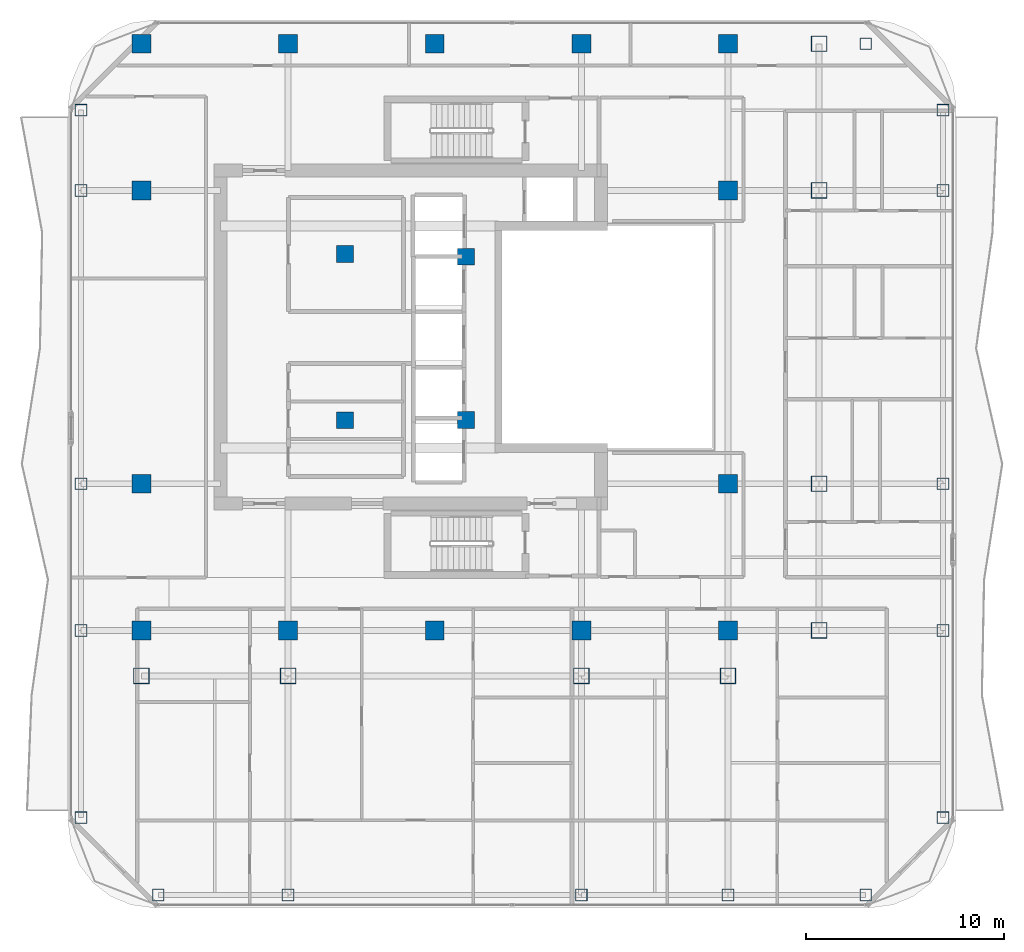
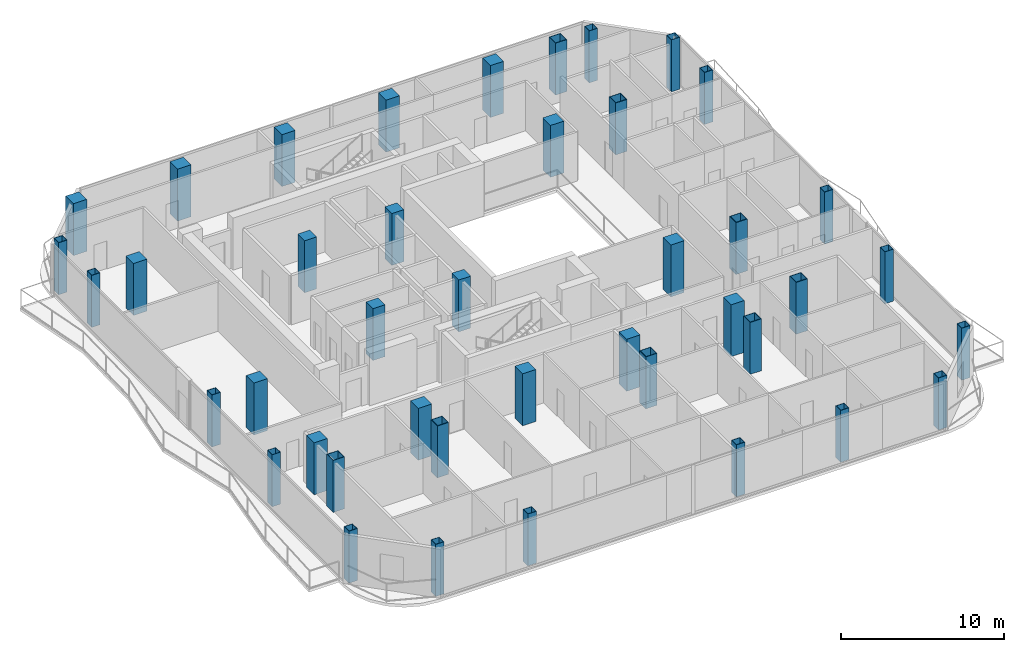
# One storey, part 1 of 27: 42 columns.
"""IFC4 building model written with IfcOpenShell, lengths in metres."""

from ifc_helpers import new_model, si_unit, direction, frame, origin, origin_2d, place, context, subcontext, project, spatial, rectangle, hollow_rectangle, extrude, material, material_profile, profile_set, type_object, element, save


model = new_model("IFC4")

# Units and contexts
model_context = context("Model", 3, precision=1e-05, world=origin(), true_north=direction((0.0, 1.0)))
body_context = subcontext(model_context, "Body", "Model", "MODEL_VIEW")
ifc_project = project(units=[si_unit("LENGTHUNIT", "METRE"), si_unit("AREAUNIT", "SQUARE_METRE"), si_unit("VOLUMEUNIT", "CUBIC_METRE"), si_unit("PLANEANGLEUNIT", "RADIAN"), si_unit("MASSUNIT", "GRAM", prefix="KILO")], contexts=[model_context])

# Site, building, storey
site_placement = place(None, origin())
site = spatial("IfcSite", under=ifc_project, at=site_placement, CompositionType="ELEMENT")
building_placement = place(site_placement, origin())
building = spatial("IfcBuilding", under=site, at=building_placement, Name="Khorvyn Point Tower", CompositionType="ELEMENT")
storey_placement = place(building_placement, frame((0.0, 0.0, 243.0)))
storey = spatial("IfcBuildingStorey", under=building, at=storey_placement, Name="L59", CompositionType="ELEMENT", Elevation=243.0)

# Columns
ifc_material_1 = material(Name="Concrete C40/50", Category="concrete")
ifc_material_profile_1 = material_profile(ifc_material_1, rectangle(XDim=0.85009765625, YDim=0.85009765625, at=origin_2d()))
ifc_profile_set_1 = profile_set([ifc_material_profile_1], Name="Concrete C40/50 RC850x850")
column_type_1 = type_object("IfcColumnType", Name="Concrete C40/50 Column RC850x850", PredefinedType="COLUMN", material=ifc_profile_set_1)
for number, where, z_axis, x_axis, name in (
    (1, (-4.52001953125, -4.199951171875, 0.0), (0.0, 0.0, 1.0), (1.0, 0.0, 0.0), "L59 Crown Core Spine Column 1"),
    (2, (1.580078125, -4.179931640625, 0.0), (0.0, 0.0, 1.0), (1.0, 0.0, 0.0), "L59 Crown Core Spine Column 2"),
    (3, (1.580078125, 4.050048828125, 0.0), (0.0, 0.0, 1.0), (1.0, 0.0, 0.0), "L59 Crown Core Spine Column 3"),
    (4, (-4.52001953125, 4.199951171875, 0.0), (0.0, 0.0, 1.0), (1.0, 0.0, 0.0), "L59 Crown Core Spine Column 4"),
):
    element("IfcColumn", number, at=place(storey_placement, frame(where, z_axis=z_axis, x_axis=x_axis)), inside=storey, type_object=column_type_1, Name=name, PredefinedType="COLUMN", context=body_context, shape_type="SweptSolid", body=[
        extrude(rectangle(XDim=0.85009765625, YDim=0.85009765625, at=origin_2d()), origin(), (0.0, 0.0, 1.0), 3.89990234375),
    ])
ifc_material_profile_2 = material_profile(ifc_material_1, rectangle(XDim=0.949951171875, YDim=0.949951171875, at=origin_2d()))
ifc_profile_set_2 = profile_set([ifc_material_profile_2], Name="Concrete C40/50 RC950x950")
column_type_2 = type_object("IfcColumnType", Name="Concrete C40/50 Column RC950x950", PredefinedType="COLUMN", material=ifc_profile_set_2)
for number, where, z_axis, x_axis, name in (
    (5, (-14.800048828125, -14.800048828125, 0.0), (0.0, 0.0, 1.0), (1.0, 0.0, 0.0), "L59 Mega-Column MC-01"),
    (6, (-7.39990234375, -14.800048828125, 0.0), (0.0, 0.0, 1.0), (1.0, 0.0, 0.0), "L59 Mega-Column MC-02"),
    (7, (0.0, -14.800048828125, 0.0), (0.0, 0.0, 1.0), (1.0, 0.0, 0.0), "L59 Mega-Column MC-03"),
    (8, (7.39990234375, -14.800048828125, 0.0), (0.0, 0.0, 1.0), (1.0, 0.0, 0.0), "L59 Mega-Column MC-04"),
    (9, (14.800048828125, -14.800048828125, 0.0), (0.0, 0.0, 1.0), (1.0, 0.0, 0.0), "L59 Mega-Column MC-05"),
    (10, (-14.800048828125, 14.800048828125, 0.0), (0.0, 0.0, 1.0), (1.0, 0.0, 0.0), "L59 Mega-Column MC-06"),
    (11, (-7.39990234375, 14.800048828125, 0.0), (0.0, 0.0, 1.0), (1.0, 0.0, 0.0), "L59 Mega-Column MC-07"),
    (12, (0.0, 14.800048828125, 0.0), (0.0, 0.0, 1.0), (1.0, 0.0, 0.0), "L59 Mega-Column MC-08"),
    (13, (7.39990234375, 14.800048828125, 0.0), (0.0, 0.0, 1.0), (1.0, 0.0, 0.0), "L59 Mega-Column MC-09"),
    (14, (14.800048828125, 14.800048828125, 0.0), (0.0, 0.0, 1.0), (1.0, 0.0, 0.0), "L59 Mega-Column MC-10"),
    (15, (-14.800048828125, -7.39990234375, 0.0), (0.0, 0.0, 1.0), (1.0, 0.0, 0.0), "L59 Mega-Column MC-11"),
    (16, (-14.800048828125, 7.39990234375, 0.0), (0.0, 0.0, 1.0), (1.0, 0.0, 0.0), "L59 Mega-Column MC-12"),
    (17, (14.800048828125, -7.39990234375, 0.0), (0.0, 0.0, 1.0), (1.0, 0.0, 0.0), "L59 Mega-Column MC-13"),
    (18, (14.800048828125, 7.39990234375, 0.0), (0.0, 0.0, 1.0), (1.0, 0.0, 0.0), "L59 Mega-Column MC-14"),
):
    element("IfcColumn", number, at=place(storey_placement, frame(where, z_axis=z_axis, x_axis=x_axis)), inside=storey, type_object=column_type_2, Name=name, PredefinedType="COLUMN", context=body_context, shape_type="SweptSolid", body=[
        extrude(rectangle(XDim=0.949951171875, YDim=0.949951171875, at=origin_2d()), origin(), (0.0, 0.0, 1.0), 3.89990234375),
    ])
ifc_material_2 = material(Name="Steel S450", Category="steel")
ifc_material_profile_3 = material_profile(ifc_material_2, hollow_rectangle(XDim=0.60009765625, YDim=0.60009765625, WallThickness=0.028076171875, at=origin_2d()))
ifc_profile_set_3 = profile_set([ifc_material_profile_3], Name="Steel S450 BOX600x600x28")
column_type_3 = type_object("IfcColumnType", Name="Steel S450 Structural Column BOX600x600x28", PredefinedType="COLUMN", material=ifc_profile_set_3)
for number, where, z_axis, x_axis, name in (
    (19, (-13.949951171875, -28.14990234375, 0.0), (0.0, 0.0, 1.0), (1.0, 0.0, 0.0), "L59 Perimeter Tube Column TC-01"),
    (20, (21.75, -28.14990234375, 0.0), (0.0, 0.0, 1.0), (1.0, 0.0, 0.0), "L59 Perimeter Tube Column TC-02"),
    (21, (21.75, 14.800048828125, 0.0), (0.0, 0.0, 1.0), (1.0, 0.0, 0.0), "L59 Perimeter Tube Column TC-03"),
    (22, (-17.85009765625, -24.25, 0.0), (0.0, 0.0, 1.0), (1.0, 0.0, 0.0), "L59 Perimeter Tube Column TC-04"),
    (23, (-17.85009765625, 11.449951171875, 0.0), (0.0, 0.0, 1.0), (1.0, 0.0, 0.0), "L59 Perimeter Tube Column TC-05"),
    (24, (25.64990234375, -24.25, 0.0), (0.0, 0.0, 1.0), (1.0, 0.0, 0.0), "L59 Perimeter Tube Column TC-06"),
    (25, (25.64990234375, 11.449951171875, 0.0), (0.0, 0.0, 1.0), (1.0, 0.0, 0.0), "L59 Perimeter Tube Column TC-07"),
    (26, (-7.39990234375, -28.14990234375, 0.0), (0.0, 0.0, 1.0), (1.0, 0.0, 0.0), "L59 Perimeter Tube Column TC-08"),
    (27, (7.39990234375, -28.14990234375, 0.0), (0.0, 0.0, 1.0), (1.0, 0.0, 0.0), "L59 Perimeter Tube Column TC-09"),
    (28, (14.800048828125, -28.14990234375, 0.0), (0.0, 0.0, 1.0), (1.0, 0.0, 0.0), "L59 Perimeter Tube Column TC-10"),
    (29, (-17.85009765625, -14.800048828125, 0.0), (0.0, 0.0, 1.0), (1.0, 0.0, 0.0), "L59 Perimeter Tube Column TC-11"),
    (30, (25.64990234375, -14.800048828125, 0.0), (0.0, 0.0, 1.0), (1.0, 0.0, 0.0), "L59 Perimeter Tube Column TC-12"),
    (31, (-17.85009765625, -7.39990234375, 0.0), (0.0, 0.0, 1.0), (1.0, 0.0, 0.0), "L59 Perimeter Tube Column TC-13"),
    (32, (25.64990234375, -7.39990234375, 0.0), (0.0, 0.0, 1.0), (1.0, 0.0, 0.0), "L59 Perimeter Tube Column TC-14"),
    (33, (-17.85009765625, 7.39990234375, 0.0), (0.0, 0.0, 1.0), (1.0, 0.0, 0.0), "L59 Perimeter Tube Column TC-15"),
    (34, (25.64990234375, 7.39990234375, 0.0), (0.0, 0.0, 1.0), (1.0, 0.0, 0.0), "L59 Perimeter Tube Column TC-16"),
):
    element("IfcColumn", number, at=place(storey_placement, frame(where, z_axis=z_axis, x_axis=x_axis)), inside=storey, type_object=column_type_3, Name=name, PredefinedType="COLUMN", context=body_context, shape_type="SweptSolid", body=[
        extrude(hollow_rectangle(XDim=0.60009765625, YDim=0.60009765625, WallThickness=0.028076171875, at=origin_2d()), origin(), (0.0, 0.0, 1.0), 3.89990234375),
    ])
ifc_material_profile_4 = material_profile(ifc_material_2, hollow_rectangle(XDim=0.800048828125, YDim=0.800048828125, WallThickness=0.035888671875, at=origin_2d()))
ifc_profile_set_4 = profile_set([ifc_material_profile_4], Name="Steel S450 BOX800x800x36")
column_type_4 = type_object("IfcColumnType", Name="Steel S450 Structural Column BOX800x800x36", PredefinedType="COLUMN", material=ifc_profile_set_4)
for number, where, z_axis, x_axis, name in (
    (35, (19.39990234375, -14.800048828125, 0.0), (0.0, 0.0, 1.0), (1.0, 0.0, 0.0), "L59 Intermediate Column ICE--14"),
    (36, (19.39990234375, -7.39990234375, 0.0), (0.0, 0.0, 1.0), (1.0, 0.0, 0.0), "L59 Intermediate Column ICE--7"),
    (37, (19.39990234375, 7.39990234375, 0.0), (0.0, 0.0, 1.0), (1.0, 0.0, 0.0), "L59 Intermediate Column ICE-7"),
    (38, (19.39990234375, 14.800048828125, 0.0), (0.0, 0.0, 1.0), (1.0, 0.0, 0.0), "L59 Intermediate Column ICE-14"),
    (39, (-14.800048828125, -17.10009765625, 0.0), (0.0, 0.0, 1.0), (1.0, 0.0, 0.0), "L59 Intermediate Column ICS--14"),
    (40, (-7.39990234375, -17.10009765625, 0.0), (0.0, 0.0, 1.0), (1.0, 0.0, 0.0), "L59 Intermediate Column ICS--7"),
    (41, (7.39990234375, -17.10009765625, 0.0), (0.0, 0.0, 1.0), (1.0, 0.0, 0.0), "L59 Intermediate Column ICS-7"),
    (42, (14.800048828125, -17.10009765625, 0.0), (0.0, 0.0, 1.0), (1.0, 0.0, 0.0), "L59 Intermediate Column ICS-14"),
):
    element("IfcColumn", number, at=place(storey_placement, frame(where, z_axis=z_axis, x_axis=x_axis)), inside=storey, type_object=column_type_4, Name=name, PredefinedType="COLUMN", context=body_context, shape_type="SweptSolid", body=[
        extrude(hollow_rectangle(XDim=0.800048828125, YDim=0.800048828125, WallThickness=0.035888671875, at=origin_2d()), origin(), (0.0, 0.0, 1.0), 3.89990234375),
    ])

save(model, "model.ifc")
